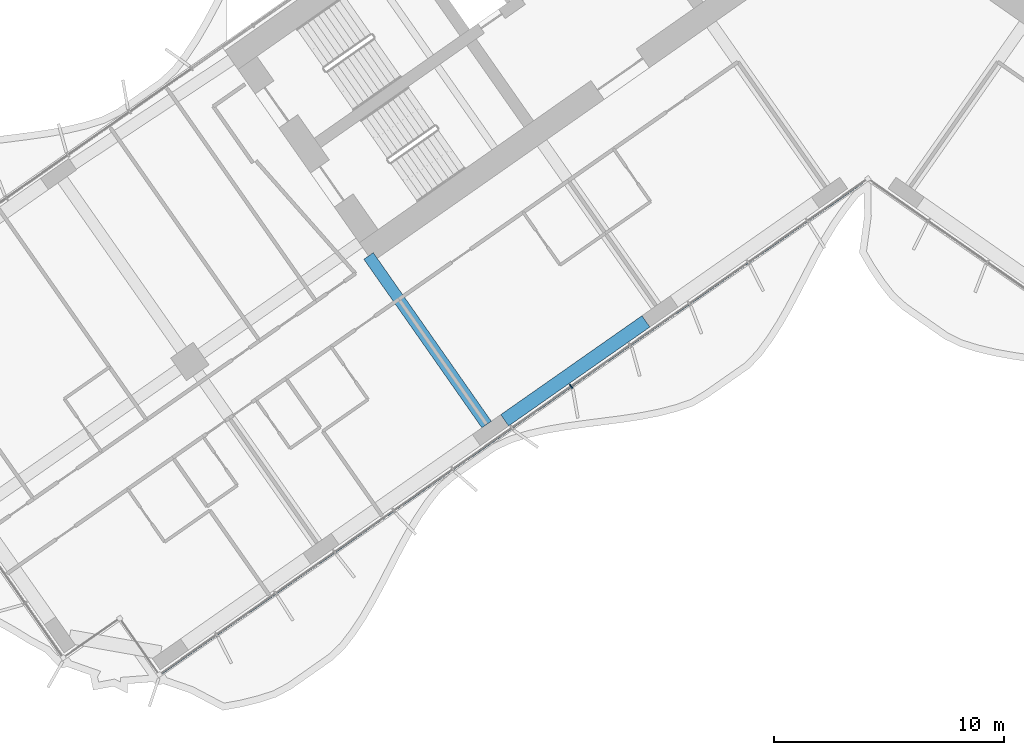
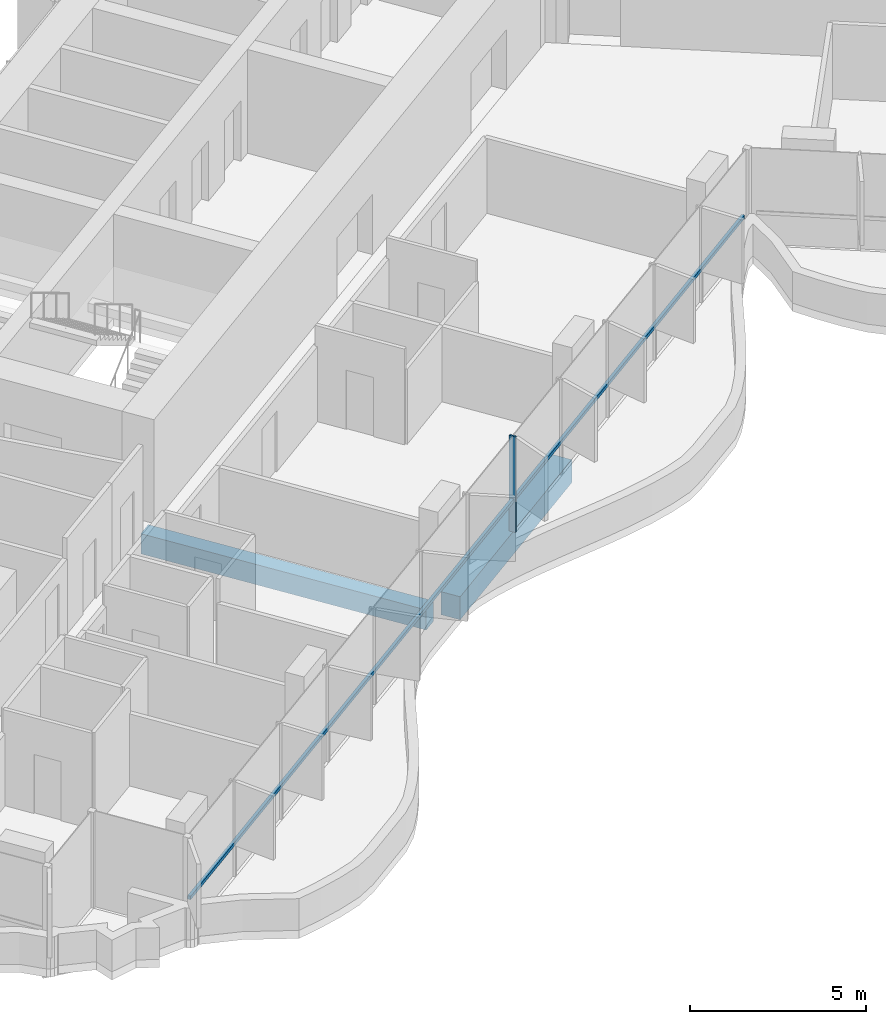
# One storey, part 3 of 24: 2 beams, 2 members, 1 element without a shape of its own.
"""IFC4 building model written with IfcOpenShell, lengths in metres."""

from ifc_helpers import new_model, si_unit, direction, frame, origin, origin_2d, place, context, subcontext, project, spatial, rectangle, extrude, material, material_profile, profile_set, type_object, element, aggregate, save


model = new_model("IFC4")

# Units and contexts
model_context = context("Model", 3, precision=1e-05, world=origin(), true_north=direction((0.0, 1.0)))
body_context = subcontext(model_context, "Body", "Model", "MODEL_VIEW")
ifc_project = project(units=[si_unit("LENGTHUNIT", "METRE"), si_unit("AREAUNIT", "SQUARE_METRE"), si_unit("VOLUMEUNIT", "CUBIC_METRE"), si_unit("PLANEANGLEUNIT", "RADIAN"), si_unit("MASSUNIT", "GRAM", prefix="KILO")], contexts=[model_context])

# Site, building, storey
site_placement = place(None, origin())
site = spatial("IfcSite", under=ifc_project, at=site_placement, CompositionType="ELEMENT")
building_placement = place(site_placement, origin())
building = spatial("IfcBuilding", under=site, at=building_placement, Name="Tel Ilan Convention Tower", CompositionType="ELEMENT")
storey_placement = place(building_placement, frame((0.0, 0.0, 72.5)))
storey = spatial("IfcBuildingStorey", under=building, at=storey_placement, Name="L13", CompositionType="ELEMENT", Elevation=72.5)

# Beams
ifc_material_1 = material(Name="Concrete C40/50", Category="concrete")
ifc_material_profile_1 = material_profile(ifc_material_1, rectangle(XDim=0.5, YDim=0.699951171875, at=origin_2d()), Name="RC 500x700")
ifc_profile_set_1 = profile_set([ifc_material_profile_1], Name="Concrete C40/50")
beam_type_1 = type_object("IfcBeamType", Name="Beam RC 500x700 Concrete C40/50", PredefinedType="BEAM", material=ifc_profile_set_1)
beam_1_placement = place(storey_placement, frame((-16.58203125, -23.391357421875, -0.6298828125), z_axis=(-0.573584999642, 0.819146048141, 0.0), x_axis=(-0.819146048141, -0.573584999642, 0.0)))
element("IfcBeam", 1, at=beam_1_placement, inside=storey, type_object=beam_type_1, Name="L13 beam W-W-F3-core", PredefinedType="BEAM", context=body_context, shape_type="SweptSolid", body=[
    extrude(rectangle(XDim=0.5, YDim=0.699951171875, at=origin_2d()), origin(), (0.0, 0.0, 1.0), 8.949951171875),
])
ifc_material_2 = material(Name="Concrete C40/50", Category="concrete")
ifc_material_profile_2 = material_profile(ifc_material_2, rectangle(XDim=0.60009765625, YDim=0.800048828125, at=origin_2d()), Name="RC 600x800")
ifc_profile_set_2 = profile_set([ifc_material_profile_2], Name="Concrete C40/50")
beam_type_2 = type_object("IfcBeamType", Name="Beam RC 600x800 Concrete C40/50", PredefinedType="BEAM", material=ifc_profile_set_2)
beam_2_placement = place(storey_placement, frame((-9.652099609375, -18.905029296875, -0.679931640625), z_axis=(-0.81915238829, -0.573575945067, 0.0), x_axis=(0.573575945067, -0.81915238829, 0.0)))
element("IfcBeam", 2, at=beam_2_placement, inside=storey, type_object=beam_type_2, Name="L13 beam W-W-F2-W-F3", PredefinedType="BEAM", context=body_context, shape_type="SweptSolid", body=[
    extrude(rectangle(XDim=0.60009765625, YDim=0.800048828125, at=origin_2d()), origin(), (0.0, 0.0, 1.0), 7.5),
])

# Curtain wall, members
ifc_material_3 = material(Name="Aluminium, bronze anodised", Category="aluminium")
curtain_wall_type = type_object("IfcCurtainWallType", Name="CW1 UNITISED CURTAIN WALL, HOTEL TINTED GLASS", PredefinedType="NOTDEFINED", material=ifc_material_3)
curtain_wall_placement = place(storey_placement, origin())
curtain_wall = element("IfcCurtainWall", 3, at=curtain_wall_placement, inside=storey, type_object=curtain_wall_type, Name="Curtain wall CW1-13.02", PredefinedType="NOTDEFINED")
ifc_material_4 = material(Name="Aluminium, bronze anodised", Category="aluminium")
ifc_material_profile_3 = material_profile(ifc_material_4, rectangle(XDim=0.06005859375, YDim=0.199951171875, at=origin_2d()), Name="CW MULLION 60x200")
ifc_profile_set_3 = profile_set([ifc_material_profile_3], Name="Aluminium, bronze anodised")
member_type_1 = type_object("IfcMemberType", Name="CW MULLION 60x200", PredefinedType="MULLION", material=ifc_profile_set_3)
member_1_placement = place(storey_placement, frame((-12.906982421875, -21.733642578125, 0.0), z_axis=(0.0, 0.0, 1.0), x_axis=(0.819152044289, 0.573576436351, 0.0)))
member_1 = element("IfcMember", 4, at=member_1_placement, type_object=member_type_1, Name="Mullion", PredefinedType="MULLION", context=body_context, shape_type="SweptSolid", body=[
    extrude(rectangle(XDim=0.06005859375, YDim=0.199951171875, at=origin_2d()), origin(), (0.0, 0.0, 1.0), 3.320068359375),
])
ifc_material_5 = material(Name="Aluminium, bronze anodised", Category="aluminium")
ifc_material_profile_4 = material_profile(ifc_material_5, rectangle(XDim=0.10009765625, YDim=0.1201171875, at=origin_2d()), Name="CW TRANSOM 100x120")
ifc_profile_set_4 = profile_set([ifc_material_profile_4], Name="Aluminium, bronze anodised")
member_type_2 = type_object("IfcMemberType", Name="CW TRANSOM 100x120", PredefinedType="USERDEFINED", material=ifc_profile_set_4)
member_2_placement = place(storey_placement, frame((-30.73291015625, -34.21533203125, 1.10009765625), z_axis=(0.819152467103, 0.57357583251, 0.0), x_axis=(-0.57357583251, 0.819152467103, 0.0)))
member_2 = element("IfcMember", 5, at=member_2_placement, type_object=member_type_2, Name="Transom", ObjectType="TRANSOM", PredefinedType="USERDEFINED", context=body_context, shape_type="SweptSolid", body=[
    extrude(rectangle(XDim=0.10009765625, YDim=0.1201171875, at=origin_2d()), origin(), (0.0, 0.0, 1.0), 37.247802734375),
])
aggregate(curtain_wall, [member_1, member_2])

save(model, "model.ifc")
